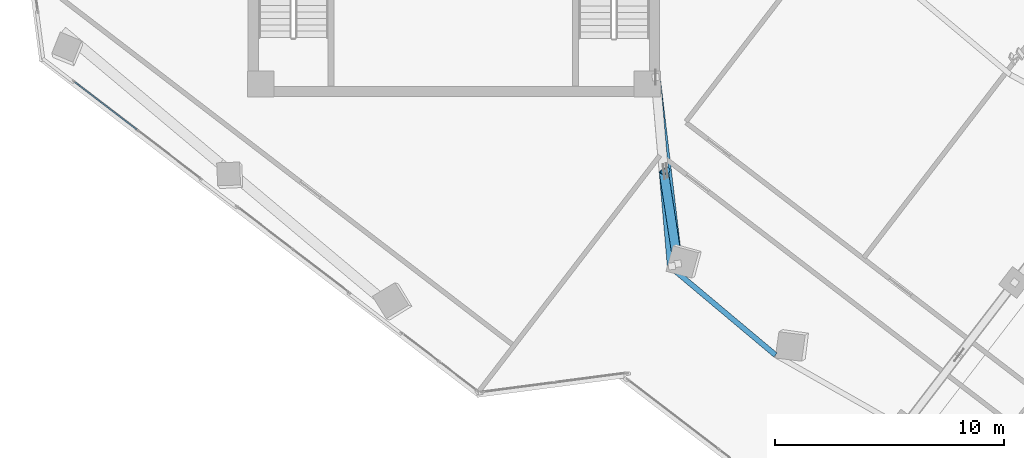
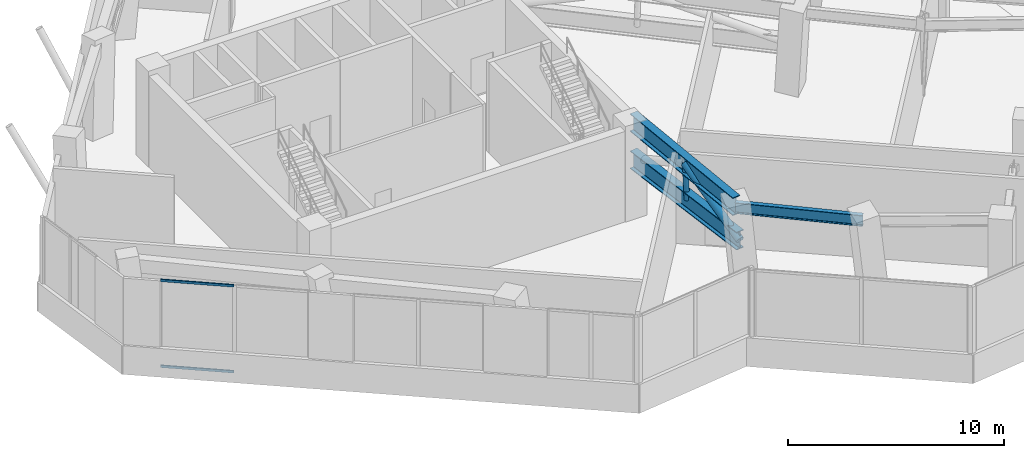
# One storey, part 4 of 22: 6 members, 1 beam, 1 element without a shape of its own.
"""IFC4 building model written with IfcOpenShell, lengths in metres."""

import ifcopenshell
import ifcopenshell.guid

model = None  # the IFC model being written
_history = None  # IfcOwnerHistory: only IFC2X3 demands one
_inside = {}  # id of a spatial element -> (the spatial element, [elements in it])
_under = {}  # id of a project, library or spatial element -> (it, [spatial elements below it])
_declared = {}  # id of a project -> (the project, [libraries it declares])
_typed = {}  # id of a type object -> (the type object, [elements of that type])
_made_of = {}  # id of a material, layer set ... -> (it, [elements and type objects made of it])


def new_model(schema):
    """Start an empty IFC model of exactly this schema.

    Asked for "IFC4X3", IfcOpenShell would pick the latest addendum, in which some entities
    have other attributes; the version numbers below select the first issue.
    IFC2X3 requires an IfcOwnerHistory on every rooted entity: one is made here for all.
    """
    global model, _history
    if schema == "IFC4X3":
        model = ifcopenshell.file(schema_version=(4, 3, 0, 0))
    else:
        model = ifcopenshell.file(schema=schema)
    _inside.clear()
    _under.clear()
    _declared.clear()
    _typed.clear()
    _made_of.clear()
    _history = None
    if model.schema == "IFC2X3":
        org = make("IfcOrganization", Name="unknown")
        user = make(
            "IfcPersonAndOrganization",
            ThePerson=make("IfcPerson", FamilyName="unknown"),
            TheOrganization=org,
        )
        app = make(
            "IfcApplication",
            ApplicationDeveloper=org,
            Version="unknown",
            ApplicationFullName="unknown",
            ApplicationIdentifier="unknown",
        )
        _history = make(
            "IfcOwnerHistory",
            OwningUser=user,
            OwningApplication=app,
            ChangeAction="ADDED",
            CreationDate=0,
        )
    return model


def make(cls, **values):
    """One entity of the class cls with the attributes given. An attribute that is None is left unset."""
    return model.create_entity(
        cls, **{name: value for name, value in values.items() if value is not None}
    )


def rooted(cls, **values):
    """An entity with a GlobalId (a new one), such as an element, a storey or a relation."""
    return make(cls, GlobalId=ifcopenshell.guid.new(), OwnerHistory=_history, **values)


def si_unit(unit_type, name, prefix=None):
    """IfcSIUnit, for example si_unit("LENGTHUNIT", "METRE", prefix="MILLI")."""
    return make("IfcSIUnit", UnitType=unit_type, Prefix=prefix, Name=name)


def assignment(units):
    """IfcUnitAssignment: the units of a project."""
    return None if units is None else make("IfcUnitAssignment", Units=units)


def point(xyz):
    """IfcCartesianPoint."""
    return None if xyz is None else make("IfcCartesianPoint", Coordinates=xyz)


def direction(xyz):
    """IfcDirection."""
    return None if xyz is None else make("IfcDirection", DirectionRatios=xyz)


def frame(location, z_axis=None, x_axis=None):
    """IfcAxis2Placement3D, a coordinate frame: its origin and axes. An axis left out is left unset."""
    return make(
        "IfcAxis2Placement3D",
        Location=point(location),
        Axis=direction(z_axis),
        RefDirection=direction(x_axis),
    )


def frame_2d(location, x_axis=None):
    """IfcAxis2Placement2D, a coordinate frame in the plane: its origin and x axis."""
    return make(
        "IfcAxis2Placement2D", Location=point(location), RefDirection=direction(x_axis)
    )


def origin():
    """The frame at (0, 0, 0) with its axes left unset."""
    return frame((0.0, 0.0, 0.0))


def origin_2d():
    """The frame at (0, 0) in the plane with its x axis left unset."""
    return frame_2d((0.0, 0.0))


def place(relative_to, where):
    """IfcLocalPlacement: puts the frame where relative to a parent placement (None: the world)."""
    return make(
        "IfcLocalPlacement", PlacementRelTo=relative_to, RelativePlacement=where
    )


def context(
    kind, dimensions, precision=None, world=None, true_north=None, identifier=None
):
    """IfcGeometricRepresentationContext, for example the 3D "Model" context."""
    return make(
        "IfcGeometricRepresentationContext",
        ContextIdentifier=identifier,
        ContextType=kind,
        CoordinateSpaceDimension=dimensions,
        Precision=precision,
        WorldCoordinateSystem=world,
        TrueNorth=true_north,
    )


def subcontext(parent, identifier, kind, view, scale=None):
    """IfcGeometricRepresentationSubContext, for example "Body" below "Model"."""
    return make(
        "IfcGeometricRepresentationSubContext",
        ContextIdentifier=identifier,
        ContextType=kind,
        ParentContext=parent,
        TargetScale=scale,
        TargetView=view,
    )


def project(units=None, contexts=None):
    """IfcProject with its units and contexts."""
    return rooted(
        "IfcProject",
        Name="project",
        RepresentationContexts=contexts,
        UnitsInContext=assignment(units),
    )


def spatial(cls, under=None, at=None, **own):
    """A site, building, storey or space (cls), placed at a placement, below another one or the project."""
    s = rooted(cls, ObjectPlacement=at, **own)
    if under is not None:
        _under.setdefault(under.id(), (under, []))[1].append(s)
    return s


def profile(cls, at=None, kind="AREA", **sizes):
    """A parametric profile (cls). Its sizes go by their IFC names, for example OverallWidth=200.0."""
    return make(cls, ProfileType=kind, Position=at, **sizes)


def hollow_rectangle(**sizes):
    """IfcRectangleHollowProfileDef."""
    return profile("IfcRectangleHollowProfileDef", **sizes)


def hollow_circle(**sizes):
    """IfcCircleHollowProfileDef."""
    return profile("IfcCircleHollowProfileDef", **sizes)


def i_section(**sizes):
    """IfcIShapeProfileDef."""
    return profile("IfcIShapeProfileDef", **sizes)


def extrude(swept, where, along, depth):
    """IfcExtrudedAreaSolid: the profile swept, set in the frame where, extruded along a direction by depth."""
    return make(
        "IfcExtrudedAreaSolid",
        SweptArea=swept,
        Position=where,
        ExtrudedDirection=direction(along),
        Depth=depth,
    )


def shape(context_of_items, identifier, shape_type, items):
    """IfcShapeRepresentation: the items that make up one representation, for example the "Body"."""
    return make(
        "IfcShapeRepresentation",
        ContextOfItems=context_of_items,
        RepresentationIdentifier=identifier,
        RepresentationType=shape_type,
        Items=items,
    )


def source(mapping_origin, context_of_items, identifier, shape_type, items):
    """IfcRepresentationMap: a shape defined once, which mapped items show again and again."""
    return make(
        "IfcRepresentationMap",
        MappingOrigin=mapping_origin,
        MappedRepresentation=shape(context_of_items, identifier, shape_type, items),
    )


def transform(
    local_origin,
    x_axis=None,
    y_axis=None,
    z_axis=None,
    scale=None,
    scale2=None,
    scale3=None,
    uniform=True,
):
    """IfcCartesianTransformationOperator3D, or its non-uniform kind. x_axis, y_axis, z_axis: its Axis1, 2, 3."""
    if uniform:
        return make(
            "IfcCartesianTransformationOperator3D",
            Axis1=direction(x_axis),
            Axis2=direction(y_axis),
            LocalOrigin=point(local_origin),
            Scale=scale,
            Axis3=direction(z_axis),
        )
    return make(
        "IfcCartesianTransformationOperator3DnonUniform",
        Axis1=direction(x_axis),
        Axis2=direction(y_axis),
        LocalOrigin=point(local_origin),
        Scale=scale,
        Axis3=direction(z_axis),
        Scale2=scale2,
        Scale3=scale3,
    )


def mapped(mapping_source, mapping_target):
    """IfcMappedItem: shows the shape of a source again, moved by a transform."""
    return make(
        "IfcMappedItem", MappingSource=mapping_source, MappingTarget=mapping_target
    )


def material(Name=None, Category=None):
    """IfcMaterial."""
    return make("IfcMaterial", Name=Name, Category=Category)


def material_profile(
    of_material, cross_section, Name=None, Category=None, Priority=None
):
    """IfcMaterialProfile: a cross section and its material."""
    return make(
        "IfcMaterialProfile",
        Name=Name,
        Material=of_material,
        Profile=cross_section,
        Priority=Priority,
        Category=Category,
    )


def profile_set(profiles, Name=None, composite=None):
    """IfcMaterialProfileSet."""
    return make(
        "IfcMaterialProfileSet",
        Name=Name,
        MaterialProfiles=profiles,
        CompositeProfile=composite,
    )


def made_of(thing, what):
    """Note that an element or type object is made of a material, layer set ...; save() writes the relation."""
    if what is not None:
        _made_of.setdefault(what.id(), (what, []))[1].append(thing)
    return thing


def type_object(cls, material=None, **own):
    """A type object (cls), such as IfcWallType, which elements share."""
    return made_of(rooted(cls, **own), material)


def element(
    cls,
    number,
    at=None,
    inside=None,
    cuts=None,
    type_object=None,
    material=None,
    context=None,
    identifier="Body",
    shape_type=None,
    held_by="IfcProductDefinitionShape",
    body=None,
    shapes=None,
    **own,
):
    """One element of the class cls, such as IfcWall. Its Tag is "e" and its number.

    at: its placement. inside: the storey or other place that contains it. cuts: it is an
    opening in that element (IfcRelVoidsElement). A single representation is given by context,
    identifier, shape_type and body (its items); several are given by shapes. held_by: the class
    of the entity that holds the representations. save() writes the other relations.
    """
    e = rooted(cls, Tag="e%d" % number, ObjectPlacement=at, **own)
    if body is not None:
        shapes = [shape(context, identifier, shape_type, body)]
    if shapes is not None:
        e.Representation = make(held_by, Representations=shapes)
    if inside is not None:
        _inside.setdefault(inside.id(), (inside, []))[1].append(e)
    if cuts is not None:
        rooted(
            "IfcRelVoidsElement", RelatingBuildingElement=cuts, RelatedOpeningElement=e
        )
    if type_object is not None:
        _typed.setdefault(type_object.id(), (type_object, []))[1].append(e)
    return made_of(e, material)


def aggregate(whole, parts):
    """IfcRelAggregates: a whole, such as a stair, and the parts it consists of."""
    return rooted("IfcRelAggregates", RelatingObject=whole, RelatedObjects=parts)


def save(model, path):
    """Write the relations noted so far, then the file.

    IfcRelAggregates (storeys below a building ...), IfcRelContainedInSpatialStructure (elements
    in a storey), IfcRelDefinesByType, IfcRelAssociatesMaterial and IfcRelDeclares: one each for
    every whole, place, type object, material and project.
    """
    for whole, parts in _under.values():
        aggregate(whole, parts)
    for where, things in _inside.values():
        rooted(
            "IfcRelContainedInSpatialStructure",
            RelatedElements=things,
            RelatingStructure=where,
        )
    for kind, things in _typed.values():
        rooted("IfcRelDefinesByType", RelatedObjects=things, RelatingType=kind)
    for what, things in _made_of.values():
        rooted("IfcRelAssociatesMaterial", RelatedObjects=things, RelatingMaterial=what)
    for by, libraries in _declared.values():
        rooted("IfcRelDeclares", RelatingContext=by, RelatedDefinitions=libraries)
    model.write(path)


model = new_model("IFC4")

# Units and contexts
model_context = context("Model", 3, precision=1e-05, world=origin(), true_north=direction((0.0, 1.0)))
body_context = subcontext(model_context, "Body", "Model", "MODEL_VIEW")
ifc_project = project(units=[si_unit("LENGTHUNIT", "METRE"), si_unit("AREAUNIT", "SQUARE_METRE"), si_unit("VOLUMEUNIT", "CUBIC_METRE"), si_unit("PLANEANGLEUNIT", "RADIAN"), si_unit("MASSUNIT", "GRAM", prefix="KILO")], contexts=[model_context])

# Site, building, storey
site_placement = place(None, origin())
site = spatial("IfcSite", under=ifc_project, at=site_placement, CompositionType="ELEMENT")
building_placement = place(site_placement, origin())
building = spatial("IfcBuilding", under=site, at=building_placement, Name="Torre Montelarca", CompositionType="ELEMENT")
storey_placement = place(building_placement, frame((0.0, 0.0, 209.800048828125)))
storey = spatial("IfcBuildingStorey", under=building, at=storey_placement, Name="L47", CompositionType="ELEMENT", Elevation=209.800048828125)

# Beam
ifc_material_1 = material(Name="Steel ASTM A992 Grade 50", Category="steel")
ifc_material_profile_1 = material_profile(ifc_material_1, i_section(OverallWidth=0.22998046875, OverallDepth=0.616943359375, WebThickness=0.01318359375, FlangeThickness=0.022216796875, FilletRadius=0.014892578125, at=origin_2d()), Name="W610X140", Category="steel")
ifc_profile_set_1 = profile_set([ifc_material_profile_1], Name="Steel ASTM A992 Grade 50")
beam_type = type_object("IfcBeamType", Name="BM-G-W610", PredefinedType="BEAM", material=ifc_profile_set_1)
shared_shape_1 = source(origin(), body_context, "Body", "SweptSolid", [
    extrude(i_section(OverallWidth=0.22998046875, OverallDepth=0.616943359375, WebThickness=0.01318359375, FlangeThickness=0.022216796875, FilletRadius=0.014892578125, at=origin_2d()), origin(), (0.0, 0.0, 1.0), 6.0),
])
beam_placement = place(storey_placement, frame((27.46533203125, 16.55126953125, 4.81201171875), z_axis=(0.766042232247, -0.642790244492, 0.0), x_axis=(0.642790244492, 0.766042232247, 0.0)))
element("IfcBeam", 1, at=beam_placement, inside=storey, type_object=beam_type, Name="L47 Grid Girder X 36.0-42.0 at Y=24.0", PredefinedType="BEAM", context=body_context, shape_type="MappedRepresentation", body=[
    mapped(shared_shape_1, transform((0.0, 0.0, 0.0), scale=1.0)),
])

# Members
ifc_material_profile_2 = material_profile(ifc_material_1, i_section(OverallWidth=0.404052734375, OverallDepth=1.011962890625, WebThickness=0.025390625, FlangeThickness=0.044921875, FilletRadius=0.02490234375, at=origin_2d()), Name="W1000X483", Category="steel")
ifc_profile_set_2 = profile_set([ifc_material_profile_2], Name="Steel ASTM A992 Grade 50")
member_type_1 = type_object("IfcMemberType", Name="MB-CH-W1000", PredefinedType="CHORD", material=ifc_profile_set_2)
shared_shape_2 = source(origin(), body_context, "Body", "SweptSolid", [
    extrude(i_section(OverallWidth=0.404052734375, OverallDepth=1.011962890625, WebThickness=0.025390625, FlangeThickness=0.044921875, FilletRadius=0.02490234375, at=origin_2d()), origin(), (0.0, 0.0, 1.0), 8.221923828125),
])
member_1_placement = place(storey_placement, frame((26.820068359375, 24.85009765625, 2.75), z_axis=(0.118360678446, -0.992970669153, 0.0), x_axis=(0.992970669153, 0.118360678446, 0.0)))
element("IfcMember", 2, at=member_1_placement, inside=storey, type_object=member_type_1, Name="L47 Outrigger Bottom Chord 1", PredefinedType="CHORD", context=body_context, shape_type="MappedRepresentation", body=[
    mapped(shared_shape_2, transform((0.0, 0.0, 0.0), scale=1.0)),
])
shared_shape_3 = source(origin(), body_context, "Body", "SweptSolid", [
    extrude(i_section(OverallWidth=0.404052734375, OverallDepth=1.011962890625, WebThickness=0.025390625, FlangeThickness=0.044921875, FilletRadius=0.02490234375, at=origin_2d()), origin(), (0.0, 0.0, 1.0), 8.3017578125),
])
member_2_placement = place(storey_placement, frame((26.820068359375, 24.85009765625, 4.849853515625), z_axis=(0.085931626102, -0.996301036653, 0.0), x_axis=(0.996301036653, 0.085931626102, 0.0)))
element("IfcMember", 3, at=member_2_placement, inside=storey, type_object=member_type_1, Name="L47 Outrigger Top Chord 1", PredefinedType="CHORD", context=body_context, shape_type="MappedRepresentation", body=[
    mapped(shared_shape_3, transform((0.0, 0.0, 0.0), scale=1.0)),
])
ifc_material_2 = material(Name="Steel ASTM A500 Grade C", Category="steel")
ifc_material_profile_3 = material_profile(ifc_material_2, hollow_circle(Radius=0.203125, WallThickness=0.015869140625, at=origin_2d()), Name="HSS406.4X15.9", Category="steel")
ifc_profile_set_3 = profile_set([ifc_material_profile_3], Name="Steel ASTM A500 Grade C")
member_type_2 = type_object("IfcMemberType", Name="MB-BR-CHS406", PredefinedType="BRACE", material=ifc_profile_set_3)
shared_shape_4 = source(origin(), body_context, "Body", "SweptSolid", [
    extrude(hollow_circle(Radius=0.203125, WallThickness=0.015869140625, at=origin_2d()), origin(), (0.0, 0.0, 1.0), 4.584716796875),
])
member_3_placement = place(storey_placement, frame((27.793212890625, 16.68603515625, 2.75), z_axis=(-0.134461566232, 0.878712991836, 0.458021358874), x_axis=(-0.988493956859, -0.151260362467, 0.0)))
element("IfcMember", 4, at=member_3_placement, inside=storey, type_object=member_type_2, Name="L47 Outrigger Truss Diagonal 1B", PredefinedType="BRACE", context=body_context, shape_type="MappedRepresentation", body=[
    mapped(shared_shape_4, transform((0.0, 0.0, 0.0), scale=1.0)),
])
ifc_material_profile_4 = material_profile(ifc_material_2, hollow_circle(Radius=0.136474609375, WallThickness=0.0126953125, at=origin_2d()), Name="HSS273.1X12.7", Category="steel")
ifc_profile_set_4 = profile_set([ifc_material_profile_4], Name="Steel ASTM A500 Grade C")
member_type_3 = type_object("IfcMemberType", Name="MB-ST-CHS273", PredefinedType="STRUT", material=ifc_profile_set_4)
shared_shape_5 = source(origin(), body_context, "Body", "SweptSolid", [
    extrude(hollow_circle(Radius=0.136474609375, WallThickness=0.0126953125, at=origin_2d()), origin(), (0.0, 0.0, 1.0), 2.1044921875),
])
member_4_placement = place(storey_placement, frame((27.306640625, 20.76806640625, 2.75), z_axis=(-0.061715365097, -0.025405385256, 0.997770404507), x_axis=(0.380662380078, -0.924714092243, 0.0)))
element("IfcMember", 5, at=member_4_placement, inside=storey, type_object=member_type_3, Name="L47 Outrigger King Strut 1", PredefinedType="STRUT", context=body_context, shape_type="MappedRepresentation", body=[
    mapped(shared_shape_5, transform((0.0, 0.0, 0.0), scale=1.0)),
])

# Curtain wall, members
ifc_material_3 = material(Name="Insulated low-E laminated glass", Category="glass")
curtain_wall_type = type_object("IfcCurtainWallType", Name="CW-SYS-Z2", PredefinedType="USERDEFINED", material=ifc_material_3)
curtain_wall_placement = place(storey_placement, origin())
curtain_wall = element("IfcCurtainWall", 6, at=curtain_wall_placement, inside=storey, type_object=curtain_wall_type, Name="L47 Curtain Wall Run CW-T3-L47-E01-B1", ObjectType="UNITISED GLAZING", PredefinedType="USERDEFINED")
ifc_material_4 = material(Name="Anodised aluminium AA 6063-T6", Category="aluminium")
ifc_material_profile_5 = material_profile(ifc_material_4, hollow_rectangle(XDim=0.06494140625, YDim=0.139892578125, WallThickness=0.00390625, InnerFilletRadius=0.00390625, OuterFilletRadius=0.008056640625, at=origin_2d()), Name="ALU65X140X4", Category="aluminium")
ifc_profile_set_5 = profile_set([ifc_material_profile_5], Name="Anodised aluminium AA 6063-T6")
member_type_4 = type_object("IfcMemberType", Name="CWT-ALU140", PredefinedType="USERDEFINED", material=ifc_profile_set_5)
shared_shape_6 = source(origin(), body_context, "Body", "SweptSolid", [
    extrude(hollow_rectangle(XDim=0.06494140625, YDim=0.139892578125, WallThickness=0.00390625, InnerFilletRadius=0.00390625, OuterFilletRadius=0.008056640625, at=origin_2d()), origin(), (0.0, 0.0, 1.0), 3.422607421875),
])
member_5_placement = place(storey_placement, frame((1.411865234375, 24.637451171875, 0.032470703125), z_axis=(0.793360601133, -0.608751966379, 0.0), x_axis=(0.608751966379, 0.793360601133, 0.0)))
member_5 = element("IfcMember", 7, at=member_5_placement, type_object=member_type_4, Name="CW transom 1.1", ObjectType="TRANSOM", PredefinedType="USERDEFINED", context=body_context, shape_type="MappedRepresentation", body=[
    mapped(shared_shape_6, transform((0.0, 0.0, 0.0), scale=1.0)),
])
member_6_placement = place(storey_placement, frame((1.411865234375, 24.637451171875, 4.887451171875), z_axis=(0.793360601133, -0.608751966379, 0.0), x_axis=(0.608751966379, 0.793360601133, 0.0)))
member_6 = element("IfcMember", 8, at=member_6_placement, type_object=member_type_4, Name="CW transom 1.2", ObjectType="TRANSOM", PredefinedType="USERDEFINED", context=body_context, shape_type="MappedRepresentation", body=[
    mapped(shared_shape_6, transform((0.0, 0.0, 0.0), scale=1.0)),
])
aggregate(curtain_wall, [member_5, member_6])

save(model, "model.ifc")
